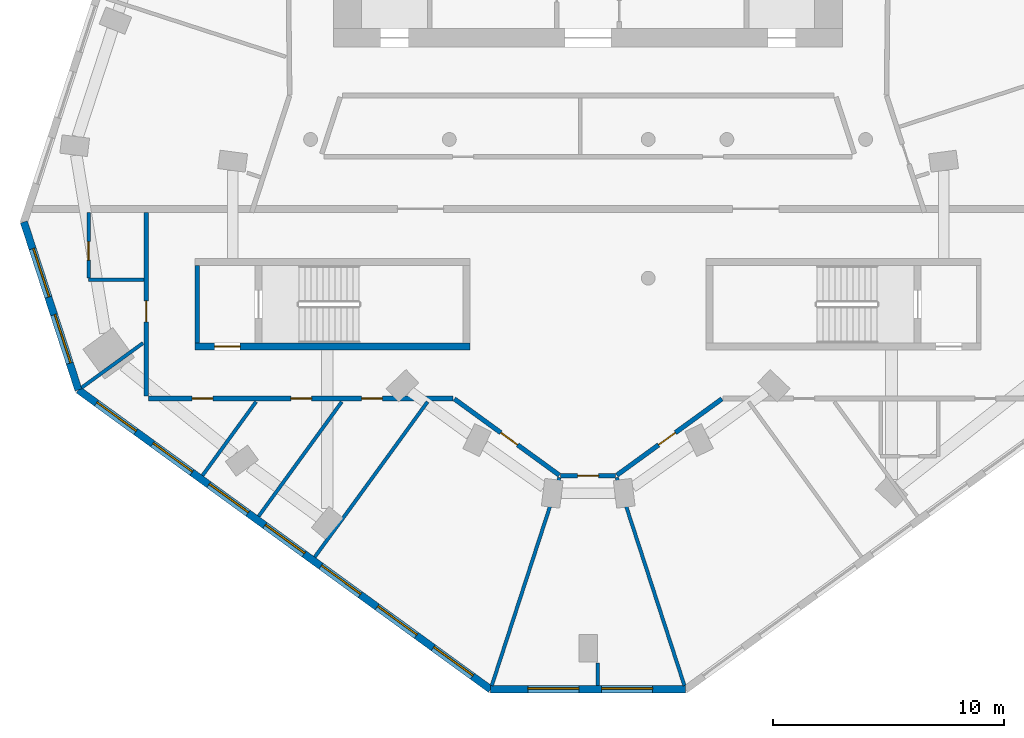
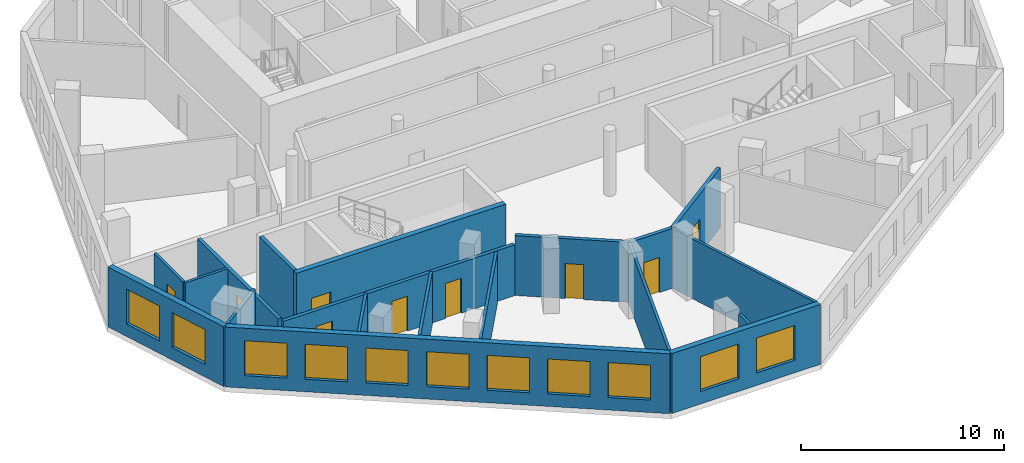
# One storey, part 2 of 9: 19 walls, 11 windows, 9 doors, 20 openings.
"""IFC4 building model written with IfcOpenShell, lengths in metres."""

import ifcopenshell
import ifcopenshell.guid

model = None  # the IFC model being written
_history = None  # IfcOwnerHistory: only IFC2X3 demands one
_inside = {}  # id of a spatial element -> (the spatial element, [elements in it])
_under = {}  # id of a project, library or spatial element -> (it, [spatial elements below it])
_declared = {}  # id of a project -> (the project, [libraries it declares])
_typed = {}  # id of a type object -> (the type object, [elements of that type])
_made_of = {}  # id of a material, layer set ... -> (it, [elements and type objects made of it])


def new_model(schema):
    """Start an empty IFC model of exactly this schema.

    Asked for "IFC4X3", IfcOpenShell would pick the latest addendum, in which some entities
    have other attributes; the version numbers below select the first issue.
    IFC2X3 requires an IfcOwnerHistory on every rooted entity: one is made here for all.
    """
    global model, _history
    if schema == "IFC4X3":
        model = ifcopenshell.file(schema_version=(4, 3, 0, 0))
    else:
        model = ifcopenshell.file(schema=schema)
    _inside.clear()
    _under.clear()
    _declared.clear()
    _typed.clear()
    _made_of.clear()
    _history = None
    if model.schema == "IFC2X3":
        org = make("IfcOrganization", Name="unknown")
        user = make(
            "IfcPersonAndOrganization",
            ThePerson=make("IfcPerson", FamilyName="unknown"),
            TheOrganization=org,
        )
        app = make(
            "IfcApplication",
            ApplicationDeveloper=org,
            Version="unknown",
            ApplicationFullName="unknown",
            ApplicationIdentifier="unknown",
        )
        _history = make(
            "IfcOwnerHistory",
            OwningUser=user,
            OwningApplication=app,
            ChangeAction="ADDED",
            CreationDate=0,
        )
    return model


def make(cls, **values):
    """One entity of the class cls with the attributes given. An attribute that is None is left unset."""
    return model.create_entity(
        cls, **{name: value for name, value in values.items() if value is not None}
    )


def rooted(cls, **values):
    """An entity with a GlobalId (a new one), such as an element, a storey or a relation."""
    return make(cls, GlobalId=ifcopenshell.guid.new(), OwnerHistory=_history, **values)


def si_unit(unit_type, name, prefix=None):
    """IfcSIUnit, for example si_unit("LENGTHUNIT", "METRE", prefix="MILLI")."""
    return make("IfcSIUnit", UnitType=unit_type, Prefix=prefix, Name=name)


def assignment(units):
    """IfcUnitAssignment: the units of a project."""
    return None if units is None else make("IfcUnitAssignment", Units=units)


def point(xyz):
    """IfcCartesianPoint."""
    return None if xyz is None else make("IfcCartesianPoint", Coordinates=xyz)


def direction(xyz):
    """IfcDirection."""
    return None if xyz is None else make("IfcDirection", DirectionRatios=xyz)


def frame(location, z_axis=None, x_axis=None):
    """IfcAxis2Placement3D, a coordinate frame: its origin and axes. An axis left out is left unset."""
    return make(
        "IfcAxis2Placement3D",
        Location=point(location),
        Axis=direction(z_axis),
        RefDirection=direction(x_axis),
    )


def frame_2d(location, x_axis=None):
    """IfcAxis2Placement2D, a coordinate frame in the plane: its origin and x axis."""
    return make(
        "IfcAxis2Placement2D", Location=point(location), RefDirection=direction(x_axis)
    )


def origin():
    """The frame at (0, 0, 0) with its axes left unset."""
    return frame((0.0, 0.0, 0.0))


def place(relative_to, where):
    """IfcLocalPlacement: puts the frame where relative to a parent placement (None: the world)."""
    return make(
        "IfcLocalPlacement", PlacementRelTo=relative_to, RelativePlacement=where
    )


def context(
    kind, dimensions, precision=None, world=None, true_north=None, identifier=None
):
    """IfcGeometricRepresentationContext, for example the 3D "Model" context."""
    return make(
        "IfcGeometricRepresentationContext",
        ContextIdentifier=identifier,
        ContextType=kind,
        CoordinateSpaceDimension=dimensions,
        Precision=precision,
        WorldCoordinateSystem=world,
        TrueNorth=true_north,
    )


def subcontext(parent, identifier, kind, view, scale=None):
    """IfcGeometricRepresentationSubContext, for example "Body" below "Model"."""
    return make(
        "IfcGeometricRepresentationSubContext",
        ContextIdentifier=identifier,
        ContextType=kind,
        ParentContext=parent,
        TargetScale=scale,
        TargetView=view,
    )


def project(units=None, contexts=None):
    """IfcProject with its units and contexts."""
    return rooted(
        "IfcProject",
        Name="project",
        RepresentationContexts=contexts,
        UnitsInContext=assignment(units),
    )


def spatial(cls, under=None, at=None, **own):
    """A site, building, storey or space (cls), placed at a placement, below another one or the project."""
    s = rooted(cls, ObjectPlacement=at, **own)
    if under is not None:
        _under.setdefault(under.id(), (under, []))[1].append(s)
    return s


def profile(cls, at=None, kind="AREA", **sizes):
    """A parametric profile (cls). Its sizes go by their IFC names, for example OverallWidth=200.0."""
    return make(cls, ProfileType=kind, Position=at, **sizes)


def rectangle(**sizes):
    """IfcRectangleProfileDef."""
    return profile("IfcRectangleProfileDef", **sizes)


def extrude(swept, where, along, depth):
    """IfcExtrudedAreaSolid: the profile swept, set in the frame where, extruded along a direction by depth."""
    return make(
        "IfcExtrudedAreaSolid",
        SweptArea=swept,
        Position=where,
        ExtrudedDirection=direction(along),
        Depth=depth,
    )


def shape(context_of_items, identifier, shape_type, items):
    """IfcShapeRepresentation: the items that make up one representation, for example the "Body"."""
    return make(
        "IfcShapeRepresentation",
        ContextOfItems=context_of_items,
        RepresentationIdentifier=identifier,
        RepresentationType=shape_type,
        Items=items,
    )


def material(Name=None, Category=None):
    """IfcMaterial."""
    return make("IfcMaterial", Name=Name, Category=Category)


def layer(
    of_material, thickness, ventilated=None, Name=None, Category=None, Priority=None
):
    """IfcMaterialLayer: one layer of a wall or slab, of a material (None: an air gap)."""
    return make(
        "IfcMaterialLayer",
        Material=of_material,
        LayerThickness=thickness,
        IsVentilated=ventilated,
        Name=Name,
        Category=Category,
        Priority=Priority,
    )


def layer_set(layers, Name=None):
    """IfcMaterialLayerSet."""
    return make("IfcMaterialLayerSet", MaterialLayers=layers, LayerSetName=Name)


def made_of(thing, what):
    """Note that an element or type object is made of a material, layer set ...; save() writes the relation."""
    if what is not None:
        _made_of.setdefault(what.id(), (what, []))[1].append(thing)
    return thing


def type_object(cls, material=None, **own):
    """A type object (cls), such as IfcWallType, which elements share."""
    return made_of(rooted(cls, **own), material)


def element(
    cls,
    number,
    at=None,
    inside=None,
    cuts=None,
    type_object=None,
    material=None,
    context=None,
    identifier="Body",
    shape_type=None,
    held_by="IfcProductDefinitionShape",
    body=None,
    shapes=None,
    **own,
):
    """One element of the class cls, such as IfcWall. Its Tag is "e" and its number.

    at: its placement. inside: the storey or other place that contains it. cuts: it is an
    opening in that element (IfcRelVoidsElement). A single representation is given by context,
    identifier, shape_type and body (its items); several are given by shapes. held_by: the class
    of the entity that holds the representations. save() writes the other relations.
    """
    e = rooted(cls, Tag="e%d" % number, ObjectPlacement=at, **own)
    if body is not None:
        shapes = [shape(context, identifier, shape_type, body)]
    if shapes is not None:
        e.Representation = make(held_by, Representations=shapes)
    if inside is not None:
        _inside.setdefault(inside.id(), (inside, []))[1].append(e)
    if cuts is not None:
        rooted(
            "IfcRelVoidsElement", RelatingBuildingElement=cuts, RelatedOpeningElement=e
        )
    if type_object is not None:
        _typed.setdefault(type_object.id(), (type_object, []))[1].append(e)
    return made_of(e, material)


def fill(opening, filler):
    """IfcRelFillsElement: the door or window that sits in an opening."""
    return rooted(
        "IfcRelFillsElement",
        RelatingOpeningElement=opening,
        RelatedBuildingElement=filler,
    )


def aggregate(whole, parts):
    """IfcRelAggregates: a whole, such as a stair, and the parts it consists of."""
    return rooted("IfcRelAggregates", RelatingObject=whole, RelatedObjects=parts)


def save(model, path):
    """Write the relations noted so far, then the file.

    IfcRelAggregates (storeys below a building ...), IfcRelContainedInSpatialStructure (elements
    in a storey), IfcRelDefinesByType, IfcRelAssociatesMaterial and IfcRelDeclares: one each for
    every whole, place, type object, material and project.
    """
    for whole, parts in _under.values():
        aggregate(whole, parts)
    for where, things in _inside.values():
        rooted(
            "IfcRelContainedInSpatialStructure",
            RelatedElements=things,
            RelatingStructure=where,
        )
    for kind, things in _typed.values():
        rooted("IfcRelDefinesByType", RelatedObjects=things, RelatingType=kind)
    for what, things in _made_of.values():
        rooted("IfcRelAssociatesMaterial", RelatedObjects=things, RelatingMaterial=what)
    for by, libraries in _declared.values():
        rooted("IfcRelDeclares", RelatingContext=by, RelatedDefinitions=libraries)
    model.write(path)


model = new_model("IFC4")

# Units and contexts
model_context = context("Model", 3, precision=1e-05, world=origin(), true_north=direction((0.0, 1.0)))
body_context = subcontext(model_context, "Body", "Model", "MODEL_VIEW")
ifc_project = project(units=[si_unit("LENGTHUNIT", "METRE"), si_unit("AREAUNIT", "SQUARE_METRE"), si_unit("VOLUMEUNIT", "CUBIC_METRE"), si_unit("PLANEANGLEUNIT", "RADIAN"), si_unit("MASSUNIT", "GRAM", prefix="KILO")], contexts=[model_context])

# Site, building, storey
site_placement = place(None, origin())
site = spatial("IfcSite", under=ifc_project, at=site_placement, CompositionType="ELEMENT")
building_placement = place(site_placement, origin())
building = spatial("IfcBuilding", under=site, at=building_placement, Name="White Candle Pilgrim Tower", CompositionType="ELEMENT")
storey_placement = place(building_placement, frame((0.0, 0.0, 227.699951171875)))
storey = spatial("IfcBuildingStorey", under=building, at=storey_placement, Name="L53", CompositionType="ELEMENT", Elevation=227.699951171875)

# Wall
ifc_material_1 = material(Name="Concrete C50/60", Category="concrete")
ifc_layer_1 = layer(ifc_material_1, 0.199951171875)
ifc_layer_set_1 = layer_set([ifc_layer_1], Name="Core wall 200 mm Concrete C50/60")
wall_type_1 = type_object("IfcWallType", Name="Core wall 200 mm Concrete C50/60", PredefinedType="SHEAR", material=ifc_layer_set_1)
wall_1_placement = place(storey_placement, frame((53.10009765625, 58.199951171875, 0.0), z_axis=(0.0, 0.0, 1.0), x_axis=(0.0, 1.0, 0.0)))
element("IfcWall", 1, at=wall_1_placement, inside=storey, type_object=wall_type_1, Name="WL-L53-C03", PredefinedType="SHEAR", context=body_context, shape_type="SweptSolid", body=[
    extrude(rectangle(XDim=3.35009765625, YDim=0.199951171875, at=frame_2d((1.675048828125, 0.0))), origin(), (0.0, 0.0, 1.0), 3.900146484375),
])

# Wall, opening, door
ifc_material_2 = material(Name="Gypsum board on steel studs", Category="steel")
ifc_layer_2 = layer(ifc_material_2, 0.199951171875)
ifc_layer_set_2 = layer_set([ifc_layer_2], Name="Corridor wall 200 mm EI 45")
wall_type_2 = type_object("IfcWallType", Name="Corridor wall 200 mm EI 45", PredefinedType="PARTITIONING", material=ifc_layer_set_2)
wall_2_placement = place(storey_placement, frame((75.7841796875, 55.781005859375, 0.0), z_axis=(0.0, 0.0, 1.0), x_axis=(-0.809008664729, -0.587796716896, 0.0)))
wall_2 = element("IfcWall", 2, at=wall_2_placement, inside=storey, type_object=wall_type_2, Name="WL-L53-P008", PredefinedType="PARTITIONING", context=body_context, shape_type="SweptSolid", body=[
    extrude(rectangle(XDim=5.6142578125, YDim=0.199951171875, at=frame_2d((2.80712890625, 0.0))), origin(), (0.0, 0.0, 1.0), 3.60009765625),
])
opening_1_placement = place(wall_2_placement, frame((2.482177734375, 0.0, 0.0)))
opening_1 = element("IfcOpeningElement", 3, at=opening_1_placement, cuts=wall_2, Name="Opening T16-108", PredefinedType="OPENING", context=body_context, shape_type="SweptSolid", body=[
    extrude(rectangle(XDim=0.89990234375, YDim=2.10009765625, at=frame_2d((0.449951171875, 1.050048828125))), frame((0.0, 0.10986328125, 0.0), z_axis=(0.0, -1.0, 0.0), x_axis=(1.0, 0.0, 0.0)), (0.0, 0.0, 1.0), 0.219970703125),
])
ifc_material_3 = material(Name="Steel door leaf", Category="steel")
door_type_1 = type_object("IfcDoorType", Name="Fire door 900 x 2100 EI 30", OperationType="NOTDEFINED", PredefinedType="DOOR", material=ifc_material_3)
door_1_placement = place(opening_1_placement, origin())
door_1 = element("IfcDoor", 4, at=door_1_placement, inside=storey, type_object=door_type_1, Name="Door T16-108", OperationType="SINGLE_SWING_RIGHT", OverallHeight=2.10009765625, OverallWidth=0.89990234375, PredefinedType="DOOR", context=body_context, shape_type="SweptSolid", body=[
    extrude(rectangle(XDim=0.89990234375, YDim=2.10009765625, at=frame_2d((0.449951171875, 1.050048828125))), frame((0.0, 0.02490234375, 0.0), z_axis=(0.0, -1.0, 0.0), x_axis=(1.0, 0.0, 0.0)), (0.0, 0.0, 1.0), 0.050048828125),
])
fill(opening_1, door_1)

wall_3_placement = place(storey_placement, frame((71.18359375, 52.4619140625, 0.0), z_axis=(0.0, 0.0, 1.0), x_axis=(-1.0, 0.0, 0.0)))
wall_3 = element("IfcWall", 5, at=wall_3_placement, inside=storey, type_object=wall_type_2, Name="WL-L53-P009", PredefinedType="PARTITIONING", context=body_context, shape_type="SweptSolid", body=[
    extrude(rectangle(XDim=2.3671875, YDim=0.199951171875, at=frame_2d((1.18359375, 0.0))), origin(), (0.0, 0.0, 1.0), 3.60009765625),
])
opening_2_placement = place(wall_3_placement, frame((0.7333984375, 0.0, 0.0)))
opening_2 = element("IfcOpeningElement", 6, at=opening_2_placement, cuts=wall_3, Name="Opening T16-107", PredefinedType="OPENING", context=body_context, shape_type="SweptSolid", body=[
    extrude(rectangle(XDim=0.89990234375, YDim=2.10009765625, at=frame_2d((0.449951171875, 1.050048828125))), frame((0.0, 0.10986328125, 0.0), z_axis=(0.0, -1.0, 0.0), x_axis=(1.0, 0.0, 0.0)), (0.0, 0.0, 1.0), 0.219970703125),
])
door_2_placement = place(opening_2_placement, origin())
door_2 = element("IfcDoor", 7, at=door_2_placement, inside=storey, type_object=door_type_1, Name="Door T16-107", OperationType="SINGLE_SWING_LEFT", OverallHeight=2.10009765625, OverallWidth=0.89990234375, PredefinedType="DOOR", context=body_context, shape_type="SweptSolid", body=[
    extrude(rectangle(XDim=0.89990234375, YDim=2.10009765625, at=frame_2d((0.449951171875, 1.050048828125))), frame((0.0, 0.02490234375, 0.0), z_axis=(0.0, -1.0, 0.0), x_axis=(1.0, 0.0, 0.0)), (0.0, 0.0, 1.0), 0.050048828125),
])
fill(opening_2, door_2)

wall_4_placement = place(storey_placement, frame((68.7578125, 52.48095703125, 0.0), z_axis=(0.0, 0.0, 1.0), x_axis=(-0.809008664729, 0.587796716896, 0.0)))
wall_4 = element("IfcWall", 8, at=wall_4_placement, inside=storey, type_object=wall_type_2, Name="WL-L53-P010", PredefinedType="PARTITIONING", context=body_context, shape_type="SweptSolid", body=[
    extrude(rectangle(XDim=5.6142578125, YDim=0.199951171875, at=frame_2d((2.80712890625, 0.0))), origin(), (0.0, 0.0, 1.0), 3.60009765625),
])
opening_3_placement = place(wall_4_placement, frame((2.23193359375, 0.0, 0.0)))
opening_3 = element("IfcOpeningElement", 9, at=opening_3_placement, cuts=wall_4, Name="Opening T16-106", PredefinedType="OPENING", context=body_context, shape_type="SweptSolid", body=[
    extrude(rectangle(XDim=0.89990234375, YDim=2.10009765625, at=frame_2d((0.449951171875, 1.050048828125))), frame((0.0, 0.10986328125, 0.0), z_axis=(0.0, -1.0, 0.0), x_axis=(1.0, 0.0, 0.0)), (0.0, 0.0, 1.0), 0.219970703125),
])
door_3_placement = place(opening_3_placement, origin())
door_3 = element("IfcDoor", 10, at=door_3_placement, inside=storey, type_object=door_type_1, Name="Door T16-106", OperationType="SINGLE_SWING_RIGHT", OverallHeight=2.10009765625, OverallWidth=0.89990234375, PredefinedType="DOOR", context=body_context, shape_type="SweptSolid", body=[
    extrude(rectangle(XDim=0.89990234375, YDim=2.10009765625, at=frame_2d((0.449951171875, 1.050048828125))), frame((0.0, 0.02490234375, 0.0), z_axis=(0.0, -1.0, 0.0), x_axis=(1.0, 0.0, 0.0)), (0.0, 0.0, 1.0), 0.050048828125),
])
fill(opening_3, door_3)

# Wall, openings, doors
wall_5_placement = place(storey_placement, frame((64.156982421875, 55.800048828125, 0.0), z_axis=(0.0, 0.0, 1.0), x_axis=(-1.0, 0.0, 0.0)))
wall_5 = element("IfcWall", 11, at=wall_5_placement, inside=storey, type_object=wall_type_2, Name="WL-L53-P011", PredefinedType="PARTITIONING", context=body_context, shape_type="SweptSolid", body=[
    extrude(rectangle(XDim=13.156982421875, YDim=0.199951171875, at=frame_2d((6.57861328125, 0.0))), origin(), (0.0, 0.0, 1.0), 3.050048828125),
])
opening_4_placement = place(wall_5_placement, frame((10.384033203125, 0.0, 0.0)))
opening_4 = element("IfcOpeningElement", 12, at=opening_4_placement, cuts=wall_5, Name="Opening T16-103", PredefinedType="OPENING", context=body_context, shape_type="SweptSolid", body=[
    extrude(rectangle(XDim=0.89990234375, YDim=2.10009765625, at=frame_2d((0.449951171875, 1.050048828125))), frame((0.0, 0.10986328125, 0.0), z_axis=(0.0, -1.0, 0.0), x_axis=(1.0, 0.0, 0.0)), (0.0, 0.0, 1.0), 0.219970703125),
])
opening_5_placement = place(wall_5_placement, frame((6.10693359375, 0.0, 0.0)))
opening_5 = element("IfcOpeningElement", 13, at=opening_5_placement, cuts=wall_5, Name="Opening T16-104", PredefinedType="OPENING", context=body_context, shape_type="SweptSolid", body=[
    extrude(rectangle(XDim=0.89990234375, YDim=2.10009765625, at=frame_2d((0.449951171875, 1.050048828125))), frame((0.0, 0.10986328125, 0.0), z_axis=(0.0, -1.0, 0.0), x_axis=(1.0, 0.0, 0.0)), (0.0, 0.0, 1.0), 0.219970703125),
])
opening_6_placement = place(wall_5_placement, frame((3.048828125, 0.0, 0.0)))
opening_6 = element("IfcOpeningElement", 14, at=opening_6_placement, cuts=wall_5, Name="Opening T16-105", PredefinedType="OPENING", context=body_context, shape_type="SweptSolid", body=[
    extrude(rectangle(XDim=0.89990234375, YDim=2.10009765625, at=frame_2d((0.449951171875, 1.050048828125))), frame((0.0, 0.10986328125, 0.0), z_axis=(0.0, -1.0, 0.0), x_axis=(1.0, 0.0, 0.0)), (0.0, 0.0, 1.0), 0.219970703125),
])
door_4_placement = place(opening_4_placement, origin())
door_4 = element("IfcDoor", 15, at=door_4_placement, inside=storey, type_object=door_type_1, Name="Door T16-103", OperationType="SINGLE_SWING_LEFT", OverallHeight=2.10009765625, OverallWidth=0.89990234375, PredefinedType="DOOR", context=body_context, shape_type="SweptSolid", body=[
    extrude(rectangle(XDim=0.89990234375, YDim=2.10009765625, at=frame_2d((0.449951171875, 1.050048828125))), frame((0.0, 0.02490234375, 0.0), z_axis=(0.0, -1.0, 0.0), x_axis=(1.0, 0.0, 0.0)), (0.0, 0.0, 1.0), 0.050048828125),
])
fill(opening_4, door_4)
door_5_placement = place(opening_5_placement, origin())
door_5 = element("IfcDoor", 16, at=door_5_placement, inside=storey, type_object=door_type_1, Name="Door T16-104", OperationType="SINGLE_SWING_RIGHT", OverallHeight=2.10009765625, OverallWidth=0.89990234375, PredefinedType="DOOR", context=body_context, shape_type="SweptSolid", body=[
    extrude(rectangle(XDim=0.89990234375, YDim=2.10009765625, at=frame_2d((0.449951171875, 1.050048828125))), frame((0.0, 0.02490234375, 0.0), z_axis=(0.0, -1.0, 0.0), x_axis=(1.0, 0.0, 0.0)), (0.0, 0.0, 1.0), 0.050048828125),
])
fill(opening_5, door_5)
door_6_placement = place(opening_6_placement, origin())
door_6 = element("IfcDoor", 17, at=door_6_placement, inside=storey, type_object=door_type_1, Name="Door T16-105", OperationType="SINGLE_SWING_LEFT", OverallHeight=2.10009765625, OverallWidth=0.89990234375, PredefinedType="DOOR", context=body_context, shape_type="SweptSolid", body=[
    extrude(rectangle(XDim=0.89990234375, YDim=2.10009765625, at=frame_2d((0.449951171875, 1.050048828125))), frame((0.0, 0.02490234375, 0.0), z_axis=(0.0, -1.0, 0.0), x_axis=(1.0, 0.0, 0.0)), (0.0, 0.0, 1.0), 0.050048828125),
])
fill(opening_6, door_6)

# Wall, opening, door
wall_6_placement = place(storey_placement, frame((50.89990234375, 55.89990234375, 0.0), z_axis=(0.0, 0.0, 1.0), x_axis=(0.0, 1.0, 0.0)))
wall_6 = element("IfcWall", 18, at=wall_6_placement, inside=storey, type_object=wall_type_2, Name="WL-L53-P012", PredefinedType="PARTITIONING", context=body_context, shape_type="SweptSolid", body=[
    extrude(rectangle(XDim=7.9501953125, YDim=0.199951171875, at=frame_2d((3.97509765625, 0.0))), origin(), (0.0, 0.0, 1.0), 3.150146484375),
])
opening_7_placement = place(wall_6_placement, frame((3.216796875, 0.0, 0.0)))
opening_7 = element("IfcOpeningElement", 19, at=opening_7_placement, cuts=wall_6, Name="Opening T16-102", PredefinedType="OPENING", context=body_context, shape_type="SweptSolid", body=[
    extrude(rectangle(XDim=0.89990234375, YDim=2.10009765625, at=frame_2d((0.449951171875, 1.050048828125))), frame((0.0, 0.10986328125, 0.0), z_axis=(0.0, -1.0, 0.0), x_axis=(1.0, 0.0, 0.0)), (0.0, 0.0, 1.0), 0.219970703125),
])
door_7_placement = place(opening_7_placement, origin())
door_7 = element("IfcDoor", 20, at=door_7_placement, inside=storey, type_object=door_type_1, Name="Door T16-102", OperationType="SINGLE_SWING_RIGHT", OverallHeight=2.10009765625, OverallWidth=0.89990234375, PredefinedType="DOOR", context=body_context, shape_type="SweptSolid", body=[
    extrude(rectangle(XDim=0.89990234375, YDim=2.10009765625, at=frame_2d((0.449951171875, 1.050048828125))), frame((0.0, 0.02490234375, 0.0), z_axis=(0.0, -1.0, 0.0), x_axis=(1.0, 0.0, 0.0)), (0.0, 0.0, 1.0), 0.050048828125),
])
fill(opening_7, door_7)

# Wall, openings, windows
ifc_material_4 = material(Name="Precast concrete C40/50", Category="concrete")
ifc_layer_3 = layer(ifc_material_4, 0.320068359375)
ifc_layer_set_3 = layer_set([ifc_layer_3], Name="Facade wall EW1 precast concrete C40/50 pier wall with timber-lined reveals")
wall_type_3 = type_object("IfcWallType", Name="Facade wall EW1 precast concrete C40/50 pier wall with timber-lined reveals", PredefinedType="SOLIDWALL", material=ifc_layer_set_3)
wall_7_placement = place(storey_placement, frame((45.60302734375, 63.431884765625, 0.0), z_axis=(0.0, 0.0, 1.0), x_axis=(0.308997893913, -0.951062722199, 0.0)))
wall_7 = element("IfcWall", 21, at=wall_7_placement, inside=storey, type_object=wall_type_3, Name="Facade wall L53 W chamfer", PredefinedType="SOLIDWALL", context=body_context, shape_type="SweptSolid", body=[
    extrude(rectangle(XDim=7.637939453125, YDim=0.320068359375, at=frame_2d((3.81884765625, 0.0))), origin(), (0.0, 0.0, 1.0), 3.60009765625),
])
opening_8_placement = place(wall_7_placement, frame((1.218994140625, 0.0, 0.75)))
opening_8 = element("IfcOpeningElement", 22, at=opening_8_placement, cuts=wall_7, Name="Opening W4", PredefinedType="OPENING", context=body_context, shape_type="SweptSolid", body=[
    extrude(rectangle(XDim=2.199951171875, YDim=2.10009765625, at=frame_2d((1.10009765625, 1.050048828125))), frame((0.0, 0.169921875, 0.0), z_axis=(0.0, -1.0, 0.0), x_axis=(1.0, 0.0, 0.0)), (0.0, 0.0, 1.0), 0.340087890625),
])
opening_9_placement = place(wall_7_placement, frame((4.218994140625, 0.0, 0.75)))
opening_9 = element("IfcOpeningElement", 23, at=opening_9_placement, cuts=wall_7, Name="Opening W4", PredefinedType="OPENING", context=body_context, shape_type="SweptSolid", body=[
    extrude(rectangle(XDim=2.199951171875, YDim=2.10009765625, at=frame_2d((1.10009765625, 1.050048828125))), frame((0.0, 0.169921875, 0.0), z_axis=(0.0, -1.0, 0.0), x_axis=(1.0, 0.0, 0.0)), (0.0, 0.0, 1.0), 0.340087890625),
])
ifc_material_5 = material(Name="Timber frame with triple glazing", Category="wood")
window_type_1 = type_object("IfcWindowType", Name="Window W4 2200x2100 timber frame triple glazing", PartitioningType="SINGLE_PANEL", PredefinedType="WINDOW", material=ifc_material_5)
window_1_placement = place(opening_8_placement, origin())
window_1 = element("IfcWindow", 24, at=window_1_placement, inside=storey, type_object=window_type_1, Name="Window W4 L53 W chamfer 1", OverallHeight=2.10009765625, OverallWidth=2.199951171875, PartitioningType="SINGLE_PANEL", PredefinedType="WINDOW", context=body_context, shape_type="SweptSolid", body=[
    extrude(rectangle(XDim=2.199951171875, YDim=2.10009765625, at=frame_2d((1.10009765625, 1.050048828125))), frame((0.0, 0.070068359375, 0.0), z_axis=(0.0, -1.0, 0.0), x_axis=(1.0, 0.0, 0.0)), (0.0, 0.0, 1.0), 0.06005859375),
])
fill(opening_8, window_1)
window_2_placement = place(opening_9_placement, origin())
window_2 = element("IfcWindow", 25, at=window_2_placement, inside=storey, type_object=window_type_1, Name="Window W4 L53 W chamfer 2", OverallHeight=2.10009765625, OverallWidth=2.199951171875, PartitioningType="SINGLE_PANEL", PredefinedType="WINDOW", context=body_context, shape_type="SweptSolid", body=[
    extrude(rectangle(XDim=2.199951171875, YDim=2.10009765625, at=frame_2d((1.10009765625, 1.050048828125))), frame((0.0, 0.070068359375, 0.0), z_axis=(0.0, -1.0, 0.0), x_axis=(1.0, 0.0, 0.0)), (0.0, 0.0, 1.0), 0.06005859375),
])
fill(opening_9, window_2)

wall_8_placement = place(storey_placement, frame((47.963134765625, 56.167724609375, 0.0), z_axis=(0.0, 0.0, 1.0), x_axis=(0.809020717907, -0.587780127256, 0.0)))
wall_8 = element("IfcWall", 26, at=wall_8_placement, inside=storey, type_object=wall_type_3, Name="Facade wall L53 SW", PredefinedType="SOLIDWALL", context=body_context, shape_type="SweptSolid", body=[
    extrude(rectangle(XDim=22.02490234375, YDim=0.320068359375, at=frame_2d((11.012451171875, 0.0))), origin(), (0.0, 0.0, 1.0), 3.60009765625),
])
opening_10_placement = place(wall_8_placement, frame((0.96240234375, 0.0, 0.75)))
opening_10 = element("IfcOpeningElement", 27, at=opening_10_placement, cuts=wall_8, Name="Opening W3", PredefinedType="OPENING", context=body_context, shape_type="SweptSolid", body=[
    extrude(rectangle(XDim=2.10009765625, YDim=2.10009765625, at=frame_2d((1.050048828125, 1.050048828125))), frame((0.0, 0.169921875, 0.0), z_axis=(0.0, -1.0, 0.0), x_axis=(1.0, 0.0, 0.0)), (0.0, 0.0, 1.0), 0.340087890625),
])
opening_11_placement = place(wall_8_placement, frame((3.96240234375, 0.0, 0.75)))
opening_11 = element("IfcOpeningElement", 28, at=opening_11_placement, cuts=wall_8, Name="Opening W3", PredefinedType="OPENING", context=body_context, shape_type="SweptSolid", body=[
    extrude(rectangle(XDim=2.10009765625, YDim=2.10009765625, at=frame_2d((1.050048828125, 1.050048828125))), frame((0.0, 0.169921875, 0.0), z_axis=(0.0, -1.0, 0.0), x_axis=(1.0, 0.0, 0.0)), (0.0, 0.0, 1.0), 0.340087890625),
])
opening_12_placement = place(wall_8_placement, frame((6.96240234375, 0.0, 0.75)))
opening_12 = element("IfcOpeningElement", 29, at=opening_12_placement, cuts=wall_8, Name="Opening W3", PredefinedType="OPENING", context=body_context, shape_type="SweptSolid", body=[
    extrude(rectangle(XDim=2.10009765625, YDim=2.10009765625, at=frame_2d((1.050048828125, 1.050048828125))), frame((0.0, 0.169921875, 0.0), z_axis=(0.0, -1.0, 0.0), x_axis=(1.0, 0.0, 0.0)), (0.0, 0.0, 1.0), 0.340087890625),
])
opening_13_placement = place(wall_8_placement, frame((9.96240234375, 0.0, 0.75)))
opening_13 = element("IfcOpeningElement", 30, at=opening_13_placement, cuts=wall_8, Name="Opening W3", PredefinedType="OPENING", context=body_context, shape_type="SweptSolid", body=[
    extrude(rectangle(XDim=2.10009765625, YDim=2.10009765625, at=frame_2d((1.050048828125, 1.050048828125))), frame((0.0, 0.169921875, 0.0), z_axis=(0.0, -1.0, 0.0), x_axis=(1.0, 0.0, 0.0)), (0.0, 0.0, 1.0), 0.340087890625),
])
opening_14_placement = place(wall_8_placement, frame((12.96240234375, 0.0, 0.75)))
opening_14 = element("IfcOpeningElement", 31, at=opening_14_placement, cuts=wall_8, Name="Opening W3", PredefinedType="OPENING", context=body_context, shape_type="SweptSolid", body=[
    extrude(rectangle(XDim=2.10009765625, YDim=2.10009765625, at=frame_2d((1.050048828125, 1.050048828125))), frame((0.0, 0.169921875, 0.0), z_axis=(0.0, -1.0, 0.0), x_axis=(1.0, 0.0, 0.0)), (0.0, 0.0, 1.0), 0.340087890625),
])
opening_15_placement = place(wall_8_placement, frame((15.96240234375, 0.0, 0.75)))
opening_15 = element("IfcOpeningElement", 32, at=opening_15_placement, cuts=wall_8, Name="Opening W3", PredefinedType="OPENING", context=body_context, shape_type="SweptSolid", body=[
    extrude(rectangle(XDim=2.10009765625, YDim=2.10009765625, at=frame_2d((1.050048828125, 1.050048828125))), frame((0.0, 0.169921875, 0.0), z_axis=(0.0, -1.0, 0.0), x_axis=(1.0, 0.0, 0.0)), (0.0, 0.0, 1.0), 0.340087890625),
])
opening_16_placement = place(wall_8_placement, frame((18.96240234375, 0.0, 0.75)))
opening_16 = element("IfcOpeningElement", 33, at=opening_16_placement, cuts=wall_8, Name="Opening W3", PredefinedType="OPENING", context=body_context, shape_type="SweptSolid", body=[
    extrude(rectangle(XDim=2.10009765625, YDim=2.10009765625, at=frame_2d((1.050048828125, 1.050048828125))), frame((0.0, 0.169921875, 0.0), z_axis=(0.0, -1.0, 0.0), x_axis=(1.0, 0.0, 0.0)), (0.0, 0.0, 1.0), 0.340087890625),
])
window_type_2 = type_object("IfcWindowType", Name="Window W3 2100x2100 timber frame triple glazing", PartitioningType="SINGLE_PANEL", PredefinedType="WINDOW", material=ifc_material_5)
window_3_placement = place(opening_10_placement, origin())
window_3 = element("IfcWindow", 34, at=window_3_placement, inside=storey, type_object=window_type_2, Name="Window W3 L53 SW 1", OverallHeight=2.10009765625, OverallWidth=2.10009765625, PartitioningType="SINGLE_PANEL", PredefinedType="WINDOW", context=body_context, shape_type="SweptSolid", body=[
    extrude(rectangle(XDim=2.10009765625, YDim=2.10009765625, at=frame_2d((1.050048828125, 1.050048828125))), frame((0.0, 0.070068359375, 0.0), z_axis=(0.0, -1.0, 0.0), x_axis=(1.0, 0.0, 0.0)), (0.0, 0.0, 1.0), 0.06005859375),
])
fill(opening_10, window_3)
window_4_placement = place(opening_11_placement, origin())
window_4 = element("IfcWindow", 35, at=window_4_placement, inside=storey, type_object=window_type_2, Name="Window W3 L53 SW 2", OverallHeight=2.10009765625, OverallWidth=2.10009765625, PartitioningType="SINGLE_PANEL", PredefinedType="WINDOW", context=body_context, shape_type="SweptSolid", body=[
    extrude(rectangle(XDim=2.10009765625, YDim=2.10009765625, at=frame_2d((1.050048828125, 1.050048828125))), frame((0.0, 0.070068359375, 0.0), z_axis=(0.0, -1.0, 0.0), x_axis=(1.0, 0.0, 0.0)), (0.0, 0.0, 1.0), 0.06005859375),
])
fill(opening_11, window_4)
window_5_placement = place(opening_12_placement, origin())
window_5 = element("IfcWindow", 36, at=window_5_placement, inside=storey, type_object=window_type_2, Name="Window W3 L53 SW 3", OverallHeight=2.10009765625, OverallWidth=2.10009765625, PartitioningType="SINGLE_PANEL", PredefinedType="WINDOW", context=body_context, shape_type="SweptSolid", body=[
    extrude(rectangle(XDim=2.10009765625, YDim=2.10009765625, at=frame_2d((1.050048828125, 1.050048828125))), frame((0.0, 0.070068359375, 0.0), z_axis=(0.0, -1.0, 0.0), x_axis=(1.0, 0.0, 0.0)), (0.0, 0.0, 1.0), 0.06005859375),
])
fill(opening_12, window_5)
window_6_placement = place(opening_13_placement, origin())
window_6 = element("IfcWindow", 37, at=window_6_placement, inside=storey, type_object=window_type_2, Name="Window W3 L53 SW 4", OverallHeight=2.10009765625, OverallWidth=2.10009765625, PartitioningType="SINGLE_PANEL", PredefinedType="WINDOW", context=body_context, shape_type="SweptSolid", body=[
    extrude(rectangle(XDim=2.10009765625, YDim=2.10009765625, at=frame_2d((1.050048828125, 1.050048828125))), frame((0.0, 0.070068359375, 0.0), z_axis=(0.0, -1.0, 0.0), x_axis=(1.0, 0.0, 0.0)), (0.0, 0.0, 1.0), 0.06005859375),
])
fill(opening_13, window_6)
window_7_placement = place(opening_14_placement, origin())
window_7 = element("IfcWindow", 38, at=window_7_placement, inside=storey, type_object=window_type_2, Name="Window W3 L53 SW 5", OverallHeight=2.10009765625, OverallWidth=2.10009765625, PartitioningType="SINGLE_PANEL", PredefinedType="WINDOW", context=body_context, shape_type="SweptSolid", body=[
    extrude(rectangle(XDim=2.10009765625, YDim=2.10009765625, at=frame_2d((1.050048828125, 1.050048828125))), frame((0.0, 0.070068359375, 0.0), z_axis=(0.0, -1.0, 0.0), x_axis=(1.0, 0.0, 0.0)), (0.0, 0.0, 1.0), 0.06005859375),
])
fill(opening_14, window_7)
window_8_placement = place(opening_15_placement, origin())
window_8 = element("IfcWindow", 39, at=window_8_placement, inside=storey, type_object=window_type_2, Name="Window W3 L53 SW 6", OverallHeight=2.10009765625, OverallWidth=2.10009765625, PartitioningType="SINGLE_PANEL", PredefinedType="WINDOW", context=body_context, shape_type="SweptSolid", body=[
    extrude(rectangle(XDim=2.10009765625, YDim=2.10009765625, at=frame_2d((1.050048828125, 1.050048828125))), frame((0.0, 0.070068359375, 0.0), z_axis=(0.0, -1.0, 0.0), x_axis=(1.0, 0.0, 0.0)), (0.0, 0.0, 1.0), 0.06005859375),
])
fill(opening_15, window_8)
window_9_placement = place(opening_16_placement, origin())
window_9 = element("IfcWindow", 40, at=window_9_placement, inside=storey, type_object=window_type_2, Name="Window W3 L53 SW 7", OverallHeight=2.10009765625, OverallWidth=2.10009765625, PartitioningType="SINGLE_PANEL", PredefinedType="WINDOW", context=body_context, shape_type="SweptSolid", body=[
    extrude(rectangle(XDim=2.10009765625, YDim=2.10009765625, at=frame_2d((1.050048828125, 1.050048828125))), frame((0.0, 0.070068359375, 0.0), z_axis=(0.0, -1.0, 0.0), x_axis=(1.0, 0.0, 0.0)), (0.0, 0.0, 1.0), 0.06005859375),
])
fill(opening_16, window_9)

wall_9_placement = place(storey_placement, frame((65.78173828125, 43.221923828125, 0.0), z_axis=(0.0, 0.0, 1.0), x_axis=(1.0, 0.0, 0.0)))
wall_9 = element("IfcWall", 41, at=wall_9_placement, inside=storey, type_object=wall_type_3, Name="Facade wall L53 S chamfer", PredefinedType="SOLIDWALL", context=body_context, shape_type="SweptSolid", body=[
    extrude(rectangle(XDim=8.4365234375, YDim=0.320068359375, at=frame_2d((4.21826171875, 0.0))), origin(), (0.0, 0.0, 1.0), 3.60009765625),
])
opening_17_placement = place(wall_9_placement, frame((1.618408203125, 0.0, 0.75)))
opening_17 = element("IfcOpeningElement", 42, at=opening_17_placement, cuts=wall_9, Name="Opening W4", PredefinedType="OPENING", context=body_context, shape_type="SweptSolid", body=[
    extrude(rectangle(XDim=2.199951171875, YDim=2.10009765625, at=frame_2d((1.10009765625, 1.050048828125))), frame((0.0, 0.169921875, 0.0), z_axis=(0.0, -1.0, 0.0), x_axis=(1.0, 0.0, 0.0)), (0.0, 0.0, 1.0), 0.340087890625),
])
opening_18_placement = place(wall_9_placement, frame((4.80322265625, 0.0, 0.75)))
opening_18 = element("IfcOpeningElement", 43, at=opening_18_placement, cuts=wall_9, Name="Opening W4", PredefinedType="OPENING", context=body_context, shape_type="SweptSolid", body=[
    extrude(rectangle(XDim=2.199951171875, YDim=2.10009765625, at=frame_2d((1.10009765625, 1.050048828125))), frame((0.0, 0.169921875, 0.0), z_axis=(0.0, -1.0, 0.0), x_axis=(1.0, 0.0, 0.0)), (0.0, 0.0, 1.0), 0.340087890625),
])
window_10_placement = place(opening_17_placement, origin())
window_10 = element("IfcWindow", 44, at=window_10_placement, inside=storey, type_object=window_type_1, Name="Window W4 L53 S chamfer 1", OverallHeight=2.10009765625, OverallWidth=2.199951171875, PartitioningType="SINGLE_PANEL", PredefinedType="WINDOW", context=body_context, shape_type="SweptSolid", body=[
    extrude(rectangle(XDim=2.199951171875, YDim=2.10009765625, at=frame_2d((1.10009765625, 1.050048828125))), frame((0.0, 0.070068359375, 0.0), z_axis=(0.0, -1.0, 0.0), x_axis=(1.0, 0.0, 0.0)), (0.0, 0.0, 1.0), 0.06005859375),
])
fill(opening_17, window_10)
window_11_placement = place(opening_18_placement, origin())
window_11 = element("IfcWindow", 45, at=window_11_placement, inside=storey, type_object=window_type_1, Name="Window W4 L53 S chamfer 2", OverallHeight=2.10009765625, OverallWidth=2.199951171875, PartitioningType="SINGLE_PANEL", PredefinedType="WINDOW", context=body_context, shape_type="SweptSolid", body=[
    extrude(rectangle(XDim=2.199951171875, YDim=2.10009765625, at=frame_2d((1.10009765625, 1.050048828125))), frame((0.0, 0.070068359375, 0.0), z_axis=(0.0, -1.0, 0.0), x_axis=(1.0, 0.0, 0.0)), (0.0, 0.0, 1.0), 0.06005859375),
])
fill(opening_18, window_11)

# Walls
ifc_layer_4 = layer(ifc_material_2, 0.14990234375)
ifc_layer_set_4 = layer_set([ifc_layer_4], Name="Partition 150 mm EI 60")
wall_type_4 = type_object("IfcWallType", Name="Partition 150 mm EI 60", PredefinedType="PARTITIONING", material=ifc_layer_set_4)
wall_10_placement = place(storey_placement, frame((48.099365234375, 56.2666015625, 0.0), z_axis=(0.0, 0.0, 1.0), x_axis=(0.808999643258, 0.587809133315, 0.0)))
element("IfcWall", 46, at=wall_10_placement, inside=storey, type_object=wall_type_4, Name="WL-L53-P018", PredefinedType="PARTITIONING", context=body_context, shape_type="SweptSolid", body=[
    extrude(rectangle(XDim=3.28369140625, YDim=0.14990234375, at=frame_2d((1.641845703125, 0.0))), origin(), (0.0, 0.0, 1.0), 3.60009765625),
])
for number, where, z_axis, x_axis, name in (
    (47, (65.833740234375, 43.3818359375, 0.0), (0.0, 0.0, 1.0), (0.309020146715, 0.951055492032, 0.0), "WL-L53-P019"),
    (48, (74.166259765625, 43.3818359375, 0.0), (0.0, 0.0, 1.0), (-0.309020146715, 0.951055492032, 0.0), "WL-L53-P020"),
):
    element("IfcWall", number, at=place(storey_placement, frame(where, z_axis=z_axis, x_axis=x_axis)), inside=storey, type_object=wall_type_4, Name=name, PredefinedType="PARTITIONING", context=body_context, shape_type="SweptSolid", body=[
        extrude(rectangle(XDim=9.46240234375, YDim=0.14990234375, at=frame_2d((4.731201171875, 0.0))), origin(), (0.0, 0.0, 1.0), 3.60009765625),
    ])
wall_11_placement = place(storey_placement, frame((50.800048828125, 60.931884765625, 0.0), z_axis=(0.0, 0.0, 1.0), x_axis=(-1.0, 0.0, 0.0)))
element("IfcWall", 49, at=wall_11_placement, inside=storey, type_object=wall_type_4, Name="WL-L53-P024", PredefinedType="PARTITIONING", context=body_context, shape_type="SweptSolid", body=[
    extrude(rectangle(XDim=2.400146484375, YDim=0.14990234375, at=frame_2d((1.2001953125, 0.0))), origin(), (0.0, 0.0, 1.0), 3.150146484375),
])

# Wall, opening, door
wall_12_placement = place(storey_placement, frame((48.39990234375, 63.85009765625, 0.0), z_axis=(0.0, 0.0, 1.0), x_axis=(0.0, -1.0, 0.0)))
wall_12 = element("IfcWall", 50, at=wall_12_placement, inside=storey, type_object=wall_type_4, Name="WL-L53-P025", PredefinedType="PARTITIONING", context=body_context, shape_type="SweptSolid", body=[
    extrude(rectangle(XDim=2.84326171875, YDim=0.14990234375, at=frame_2d((1.421630859375, 0.0))), origin(), (0.0, 0.0, 1.0), 3.150146484375),
])
opening_19_placement = place(wall_12_placement, frame((1.268310546875, 0.0, 0.0)))
opening_19 = element("IfcOpeningElement", 51, at=opening_19_placement, cuts=wall_12, Name="Opening T16-101", PredefinedType="OPENING", context=body_context, shape_type="SweptSolid", body=[
    extrude(rectangle(XDim=0.800048828125, YDim=2.10009765625, at=frame_2d((0.39990234375, 1.050048828125))), frame((0.0, 0.0849609375, 0.0), z_axis=(0.0, -1.0, 0.0), x_axis=(1.0, 0.0, 0.0)), (0.0, 0.0, 1.0), 0.169921875),
])
door_type_2 = type_object("IfcDoorType", Name="Fire door 800 x 2100 EI 30", OperationType="NOTDEFINED", PredefinedType="DOOR", material=ifc_material_3)
door_8_placement = place(opening_19_placement, frame((0.800048828125, 0.0, 0.0), z_axis=(0.0, 0.0, 1.0), x_axis=(-1.0, 0.0, 0.0)))
door_8 = element("IfcDoor", 52, at=door_8_placement, inside=storey, type_object=door_type_2, Name="Door T16-101", OperationType="SINGLE_SWING_RIGHT", OverallHeight=2.10009765625, OverallWidth=0.800048828125, PredefinedType="DOOR", context=body_context, shape_type="SweptSolid", body=[
    extrude(rectangle(XDim=0.800048828125, YDim=2.10009765625, at=frame_2d((0.39990234375, 1.050048828125))), frame((0.0, 0.02490234375, 0.0), z_axis=(0.0, -1.0, 0.0), x_axis=(1.0, 0.0, 0.0)), (0.0, 0.0, 1.0), 0.050048828125),
])
fill(opening_19, door_8)

# Walls
wall_13_placement = place(storey_placement, frame((53.325927734375, 52.46923828125, 0.0), z_axis=(0.0, 0.0, 1.0), x_axis=(0.587762550111, 0.809033487989, 0.0)))
element("IfcWall", 53, at=wall_13_placement, inside=storey, type_object=wall_type_4, Name="WL-L53-P026", PredefinedType="PARTITIONING", context=body_context, shape_type="SweptSolid", body=[
    extrude(rectangle(XDim=3.93896484375, YDim=0.14990234375, at=frame_2d((1.969482421875, 0.0))), origin(), (0.0, 0.0, 1.0), 3.150146484375),
])
wall_14_placement = place(storey_placement, frame((55.7529296875, 50.705810546875, 0.0), z_axis=(0.0, 0.0, 1.0), x_axis=(0.58777542513, 0.809024134135, 0.0)))
element("IfcWall", 54, at=wall_14_placement, inside=storey, type_object=wall_type_4, Name="WL-L53-P027", PredefinedType="PARTITIONING", context=body_context, shape_type="SweptSolid", body=[
    extrude(rectangle(XDim=6.11865234375, YDim=0.14990234375, at=frame_2d((3.059326171875, 0.0))), origin(), (0.0, 0.0, 1.0), 3.150146484375),
])
wall_15_placement = place(storey_placement, frame((58.179931640625, 48.942626953125, 0.0), z_axis=(0.0, 0.0, 1.0), x_axis=(0.587795526612, 0.809009529545, 0.0)))
element("IfcWall", 55, at=wall_15_placement, inside=storey, type_object=wall_type_4, Name="WL-L53-P028", PredefinedType="PARTITIONING", context=body_context, shape_type="SweptSolid", body=[
    extrude(rectangle(XDim=8.29833984375, YDim=0.14990234375, at=frame_2d((4.149169921875, 0.0))), origin(), (0.0, 0.0, 1.0), 3.050048828125),
])
wall_16_placement = place(storey_placement, frame((70.409912109375, 44.3701171875, 0.0), z_axis=(0.0, 0.0, 1.0), x_axis=(0.0, -1.0, 0.0)))
element("IfcWall", 56, at=wall_16_placement, inside=storey, type_object=wall_type_4, Name="WL-L53-P039", PredefinedType="PARTITIONING", context=body_context, shape_type="SweptSolid", body=[
    extrude(rectangle(XDim=0.98828125, YDim=0.14990234375, at=frame_2d((0.494140625, 0.0))), origin(), (0.0, 0.0, 1.0), 3.60009765625),
])

# Wall, opening, door
ifc_layer_5 = layer(ifc_material_1, 0.300048828125)
ifc_layer_set_5 = layer_set([ifc_layer_5], Name="Stair shaft wall 300 mm Concrete C50/60")
wall_type_5 = type_object("IfcWallType", Name="Stair shaft wall 300 mm Concrete C50/60", PredefinedType="SHEAR", material=ifc_layer_set_5)
wall_17_placement = place(storey_placement, frame((53.0, 58.050048828125, 0.0), z_axis=(0.0, 0.0, 1.0), x_axis=(1.0, 0.0, 0.0)))
wall_17 = element("IfcWall", 57, at=wall_17_placement, inside=storey, type_object=wall_type_5, Name="WL-L53-C01", PredefinedType="SHEAR", context=body_context, shape_type="SweptSolid", body=[
    extrude(rectangle(XDim=11.89990234375, YDim=0.300048828125, at=frame_2d((5.949951171875, 0.0))), origin(), (0.0, 0.0, 1.0), 3.900146484375),
])
opening_20_placement = place(wall_17_placement, frame((0.85009765625, 0.0, 0.0)))
opening_20 = element("IfcOpeningElement", 58, at=opening_20_placement, cuts=wall_17, Name="Opening T16-010", PredefinedType="OPENING", context=body_context, shape_type="SweptSolid", body=[
    extrude(rectangle(XDim=1.10009765625, YDim=2.10009765625, at=frame_2d((0.550048828125, 1.050048828125))), frame((0.0, 0.159912109375, 0.0), z_axis=(0.0, -1.0, 0.0), x_axis=(1.0, 0.0, 0.0)), (0.0, 0.0, 1.0), 0.320068359375),
])
door_type_3 = type_object("IfcDoorType", Name="Fire door 1100 x 2100 EI 60", OperationType="NOTDEFINED", PredefinedType="DOOR", material=ifc_material_3)
door_9_placement = place(opening_20_placement, origin())
door_9 = element("IfcDoor", 59, at=door_9_placement, inside=storey, type_object=door_type_3, Name="Door T16-010", OperationType="SINGLE_SWING_RIGHT", OverallHeight=2.10009765625, OverallWidth=1.10009765625, PredefinedType="DOOR", context=body_context, shape_type="SweptSolid", body=[
    extrude(rectangle(XDim=1.10009765625, YDim=2.10009765625, at=frame_2d((0.550048828125, 1.050048828125))), frame((0.0, 0.02490234375, 0.0), z_axis=(0.0, -1.0, 0.0), x_axis=(1.0, 0.0, 0.0)), (0.0, 0.0, 1.0), 0.050048828125),
])
fill(opening_20, door_9)

save(model, "model.ifc")
